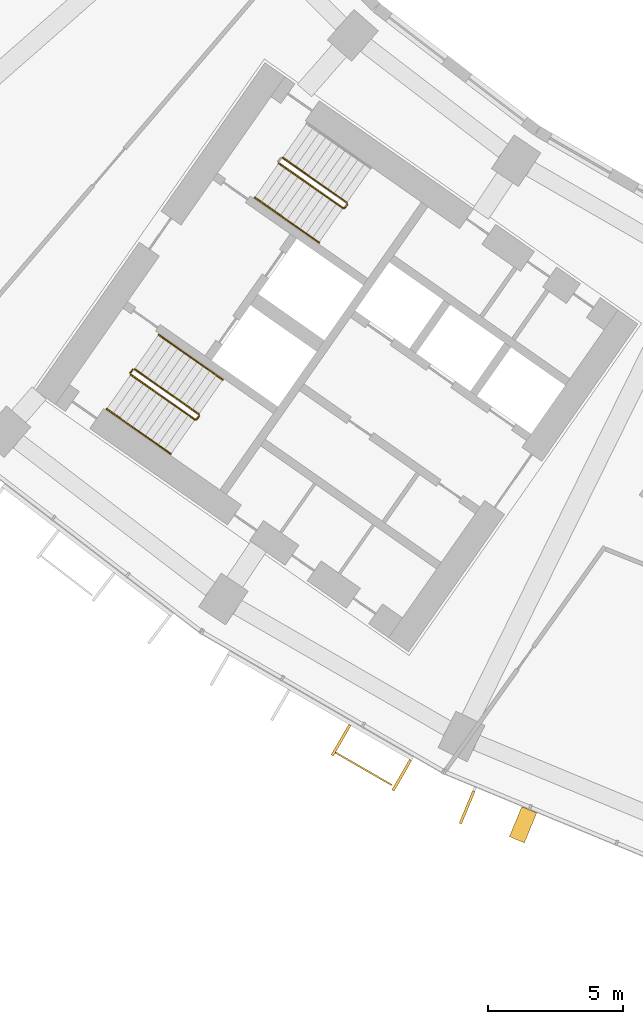
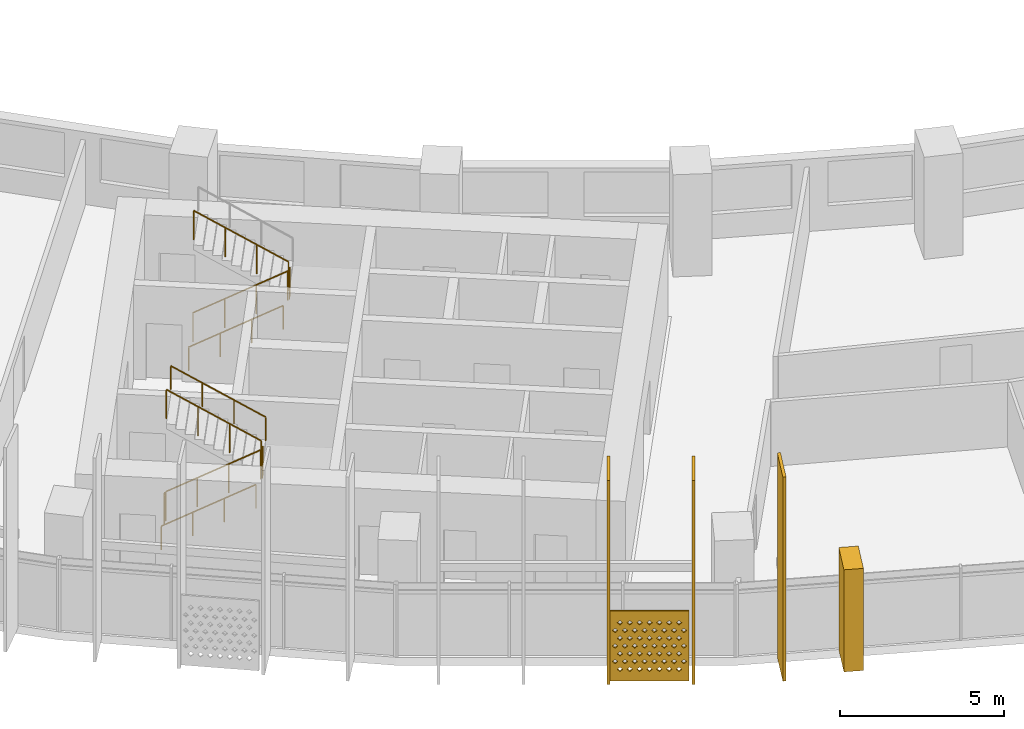
# One storey, part 24 of 30: 8 railings, 5 shading devices.
"""IFC4 building model written with IfcOpenShell, lengths in metres."""

from ifc_helpers import new_model, si_unit, direction, frame, origin, origin_2d, place, context, subcontext, project, spatial, polyline, rectangle, circle, outline, extrude, material, material_profile, profile_set, type_object, element, save


model = new_model("IFC4")

# Units and contexts
model_context = context("Model", 3, precision=1e-05, world=origin(), true_north=direction((0.0, 1.0)))
body_context = subcontext(model_context, "Body", "Model", "MODEL_VIEW")
ifc_project = project(units=[si_unit("LENGTHUNIT", "METRE"), si_unit("AREAUNIT", "SQUARE_METRE"), si_unit("VOLUMEUNIT", "CUBIC_METRE"), si_unit("PLANEANGLEUNIT", "RADIAN"), si_unit("MASSUNIT", "GRAM", prefix="KILO")], contexts=[model_context])

# Site, building, storey
site_placement = place(None, origin())
site = spatial("IfcSite", under=ifc_project, at=site_placement, CompositionType="ELEMENT")
building_placement = place(site_placement, origin())
building = spatial("IfcBuilding", under=site, at=building_placement, Name="Qamariyya Broadcast Tower", CompositionType="ELEMENT")
storey_placement = place(building_placement, frame((0.0, 0.0, 102.5)))
storey = spatial("IfcBuildingStorey", under=building, at=storey_placement, Name="L22", CompositionType="ELEMENT", Elevation=102.5)

# Shading devices
ifc_material_1 = material(Name="Steel S355 powder coated deep red", Category="steel")
shading_device_type_1 = type_object("IfcShadingDeviceType", Name="Deep red frame, powder coated steel box section", PredefinedType="USERDEFINED", material=ifc_material_1)
shading_device_1_placement = place(storey_placement, origin())
element("IfcShadingDevice", 1, at=shading_device_1_placement, inside=storey, type_object=shading_device_type_1, Name="e-frm-B2-F1-posta-L22", ObjectType="FRAME", PredefinedType="USERDEFINED", context=body_context, shape_type="SweptSolid", body=[
    extrude(outline(polyline([(-32.15625, -72.330322265625), (-32.615478515625, -73.43896484375), (-32.06103515625, -73.668701171875), (-31.601806640625, -72.56005859375), (-32.15625, -72.330322265625)])), origin(), (0.0, 0.0, 1.0), 3.800048828125),
])
ifc_material_2 = material(Name="Perforated glazed terracotta", Category="masonry")
ifc_material_profile_1 = material_profile(ifc_material_2, outline(polyline([(-1.199951171875, -1.300048828125), (1.199951171875, -1.300048828125), (1.199951171875, 1.300048828125), (-1.199951171875, 1.300048828125), (-1.199951171875, -1.300048828125)]), holes=[polyline([(-0.81494140625, -0.86669921875), (-0.89990234375, -0.78173828125), (-0.985107421875, -0.86669921875), (-0.89990234375, -0.95166015625), (-0.81494140625, -0.86669921875)]), polyline([(-0.514892578125, -0.86669921875), (-0.60009765625, -0.78173828125), (-0.68505859375, -0.86669921875), (-0.60009765625, -0.95166015625), (-0.514892578125, -0.86669921875)]), polyline([(-0.215087890625, -0.86669921875), (-0.300048828125, -0.78173828125), (-0.385009765625, -0.86669921875), (-0.300048828125, -0.95166015625), (-0.215087890625, -0.86669921875)]), polyline([(0.0849609375, -0.86669921875), (0.0, -0.78173828125), (-0.0849609375, -0.86669921875), (0.0, -0.95166015625), (0.0849609375, -0.86669921875)]), polyline([(0.385009765625, -0.86669921875), (0.300048828125, -0.78173828125), (0.215087890625, -0.86669921875), (0.300048828125, -0.95166015625), (0.385009765625, -0.86669921875)]), polyline([(0.68505859375, -0.86669921875), (0.60009765625, -0.78173828125), (0.514892578125, -0.86669921875), (0.60009765625, -0.95166015625), (0.68505859375, -0.86669921875)]), polyline([(0.985107421875, -0.86669921875), (0.89990234375, -0.78173828125), (0.81494140625, -0.86669921875), (0.89990234375, -0.95166015625), (0.985107421875, -0.86669921875)]), polyline([(-0.965087890625, -0.577880859375), (-1.050048828125, -0.49267578125), (-1.135009765625, -0.577880859375), (-1.050048828125, -0.662841796875), (-0.965087890625, -0.577880859375)]), polyline([(-0.6650390625, -0.577880859375), (-0.75, -0.49267578125), (-0.8349609375, -0.577880859375), (-0.75, -0.662841796875), (-0.6650390625, -0.577880859375)]), polyline([(-0.364990234375, -0.577880859375), (-0.449951171875, -0.49267578125), (-0.534912109375, -0.577880859375), (-0.449951171875, -0.662841796875), (-0.364990234375, -0.577880859375)]), polyline([(-0.06494140625, -0.577880859375), (-0.14990234375, -0.49267578125), (-0.235107421875, -0.577880859375), (-0.14990234375, -0.662841796875), (-0.06494140625, -0.577880859375)]), polyline([(0.235107421875, -0.577880859375), (0.14990234375, -0.49267578125), (0.06494140625, -0.577880859375), (0.14990234375, -0.662841796875), (0.235107421875, -0.577880859375)]), polyline([(0.534912109375, -0.577880859375), (0.449951171875, -0.49267578125), (0.364990234375, -0.577880859375), (0.449951171875, -0.662841796875), (0.534912109375, -0.577880859375)]), polyline([(0.8349609375, -0.577880859375), (0.75, -0.49267578125), (0.6650390625, -0.577880859375), (0.75, -0.662841796875), (0.8349609375, -0.577880859375)]), polyline([(1.135009765625, -0.577880859375), (1.050048828125, -0.49267578125), (0.965087890625, -0.577880859375), (1.050048828125, -0.662841796875), (1.135009765625, -0.577880859375)]), polyline([(-0.81494140625, -0.288818359375), (-0.89990234375, -0.203857421875), (-0.985107421875, -0.288818359375), (-0.89990234375, -0.373779296875), (-0.81494140625, -0.288818359375)]), polyline([(-0.514892578125, -0.288818359375), (-0.60009765625, -0.203857421875), (-0.68505859375, -0.288818359375), (-0.60009765625, -0.373779296875), (-0.514892578125, -0.288818359375)]), polyline([(-0.215087890625, -0.288818359375), (-0.300048828125, -0.203857421875), (-0.385009765625, -0.288818359375), (-0.300048828125, -0.373779296875), (-0.215087890625, -0.288818359375)]), polyline([(0.0849609375, -0.288818359375), (0.0, -0.203857421875), (-0.0849609375, -0.288818359375), (0.0, -0.373779296875), (0.0849609375, -0.288818359375)]), polyline([(0.385009765625, -0.288818359375), (0.300048828125, -0.203857421875), (0.215087890625, -0.288818359375), (0.300048828125, -0.373779296875), (0.385009765625, -0.288818359375)]), polyline([(0.68505859375, -0.288818359375), (0.60009765625, -0.203857421875), (0.514892578125, -0.288818359375), (0.60009765625, -0.373779296875), (0.68505859375, -0.288818359375)]), polyline([(0.985107421875, -0.288818359375), (0.89990234375, -0.203857421875), (0.81494140625, -0.288818359375), (0.89990234375, -0.373779296875), (0.985107421875, -0.288818359375)]), polyline([(-0.965087890625, 0.0), (-1.050048828125, 0.0849609375), (-1.135009765625, 0.0), (-1.050048828125, -0.0849609375), (-0.965087890625, 0.0)]), polyline([(-0.6650390625, 0.0), (-0.75, 0.0849609375), (-0.8349609375, 0.0), (-0.75, -0.0849609375), (-0.6650390625, 0.0)]), polyline([(-0.364990234375, 0.0), (-0.449951171875, 0.0849609375), (-0.534912109375, 0.0), (-0.449951171875, -0.0849609375), (-0.364990234375, 0.0)]), polyline([(-0.06494140625, 0.0), (-0.14990234375, 0.0849609375), (-0.235107421875, 0.0), (-0.14990234375, -0.0849609375), (-0.06494140625, 0.0)]), polyline([(0.235107421875, 0.0), (0.14990234375, 0.0849609375), (0.06494140625, 0.0), (0.14990234375, -0.0849609375), (0.235107421875, 0.0)]), polyline([(0.534912109375, 0.0), (0.449951171875, 0.0849609375), (0.364990234375, 0.0), (0.449951171875, -0.0849609375), (0.534912109375, 0.0)]), polyline([(0.8349609375, 0.0), (0.75, 0.0849609375), (0.6650390625, 0.0), (0.75, -0.0849609375), (0.8349609375, 0.0)]), polyline([(1.135009765625, 0.0), (1.050048828125, 0.0849609375), (0.965087890625, 0.0), (1.050048828125, -0.0849609375), (1.135009765625, 0.0)]), polyline([(-0.81494140625, 0.288818359375), (-0.89990234375, 0.373779296875), (-0.985107421875, 0.288818359375), (-0.89990234375, 0.203857421875), (-0.81494140625, 0.288818359375)]), polyline([(-0.514892578125, 0.288818359375), (-0.60009765625, 0.373779296875), (-0.68505859375, 0.288818359375), (-0.60009765625, 0.203857421875), (-0.514892578125, 0.288818359375)]), polyline([(-0.215087890625, 0.288818359375), (-0.300048828125, 0.373779296875), (-0.385009765625, 0.288818359375), (-0.300048828125, 0.203857421875), (-0.215087890625, 0.288818359375)]), polyline([(0.0849609375, 0.288818359375), (0.0, 0.373779296875), (-0.0849609375, 0.288818359375), (0.0, 0.203857421875), (0.0849609375, 0.288818359375)]), polyline([(0.385009765625, 0.288818359375), (0.300048828125, 0.373779296875), (0.215087890625, 0.288818359375), (0.300048828125, 0.203857421875), (0.385009765625, 0.288818359375)]), polyline([(0.68505859375, 0.288818359375), (0.60009765625, 0.373779296875), (0.514892578125, 0.288818359375), (0.60009765625, 0.203857421875), (0.68505859375, 0.288818359375)]), polyline([(0.985107421875, 0.288818359375), (0.89990234375, 0.373779296875), (0.81494140625, 0.288818359375), (0.89990234375, 0.203857421875), (0.985107421875, 0.288818359375)]), polyline([(-0.965087890625, 0.577880859375), (-1.050048828125, 0.662841796875), (-1.135009765625, 0.577880859375), (-1.050048828125, 0.49267578125), (-0.965087890625, 0.577880859375)]), polyline([(-0.6650390625, 0.577880859375), (-0.75, 0.662841796875), (-0.8349609375, 0.577880859375), (-0.75, 0.49267578125), (-0.6650390625, 0.577880859375)]), polyline([(-0.364990234375, 0.577880859375), (-0.449951171875, 0.662841796875), (-0.534912109375, 0.577880859375), (-0.449951171875, 0.49267578125), (-0.364990234375, 0.577880859375)]), polyline([(-0.06494140625, 0.577880859375), (-0.14990234375, 0.662841796875), (-0.235107421875, 0.577880859375), (-0.14990234375, 0.49267578125), (-0.06494140625, 0.577880859375)]), polyline([(0.235107421875, 0.577880859375), (0.14990234375, 0.662841796875), (0.06494140625, 0.577880859375), (0.14990234375, 0.49267578125), (0.235107421875, 0.577880859375)]), polyline([(0.534912109375, 0.577880859375), (0.449951171875, 0.662841796875), (0.364990234375, 0.577880859375), (0.449951171875, 0.49267578125), (0.534912109375, 0.577880859375)]), polyline([(0.8349609375, 0.577880859375), (0.75, 0.662841796875), (0.6650390625, 0.577880859375), (0.75, 0.49267578125), (0.8349609375, 0.577880859375)]), polyline([(1.135009765625, 0.577880859375), (1.050048828125, 0.662841796875), (0.965087890625, 0.577880859375), (1.050048828125, 0.49267578125), (1.135009765625, 0.577880859375)]), polyline([(-0.81494140625, 0.86669921875), (-0.89990234375, 0.95166015625), (-0.985107421875, 0.86669921875), (-0.89990234375, 0.78173828125), (-0.81494140625, 0.86669921875)]), polyline([(-0.514892578125, 0.86669921875), (-0.60009765625, 0.95166015625), (-0.68505859375, 0.86669921875), (-0.60009765625, 0.78173828125), (-0.514892578125, 0.86669921875)]), polyline([(-0.215087890625, 0.86669921875), (-0.300048828125, 0.95166015625), (-0.385009765625, 0.86669921875), (-0.300048828125, 0.78173828125), (-0.215087890625, 0.86669921875)]), polyline([(0.0849609375, 0.86669921875), (0.0, 0.95166015625), (-0.0849609375, 0.86669921875), (0.0, 0.78173828125), (0.0849609375, 0.86669921875)]), polyline([(0.385009765625, 0.86669921875), (0.300048828125, 0.95166015625), (0.215087890625, 0.86669921875), (0.300048828125, 0.78173828125), (0.385009765625, 0.86669921875)]), polyline([(0.68505859375, 0.86669921875), (0.60009765625, 0.95166015625), (0.514892578125, 0.86669921875), (0.60009765625, 0.78173828125), (0.68505859375, 0.86669921875)]), polyline([(0.985107421875, 0.86669921875), (0.89990234375, 0.95166015625), (0.81494140625, 0.86669921875), (0.89990234375, 0.78173828125), (0.985107421875, 0.86669921875)])]))
ifc_profile_set_1 = profile_set([ifc_material_profile_1], Name="Perforated glazed terracotta")
shading_device_type_2 = type_object("IfcShadingDeviceType", Name="Perforated terracotta screen 2400 x 2600", PredefinedType="USERDEFINED", material=ifc_profile_set_1)
shading_device_2_placement = place(storey_placement, frame((-37.99462890625, -70.90185546875, 1.35009765625), z_axis=(-0.500074377092, -0.865982457891, 0.0), x_axis=(0.865982457891, -0.500074377092, 0.0)))
element("IfcShadingDevice", 2, at=shading_device_2_placement, inside=storey, type_object=shading_device_type_2, Name="e-scr-L22-05-2", ObjectType="SCREEN", PredefinedType="USERDEFINED", context=body_context, shape_type="SweptSolid", body=[
    extrude(outline(polyline([(-1.199951171875, -1.300048828125), (1.199951171875, -1.300048828125), (1.199951171875, 1.300048828125), (-1.199951171875, 1.300048828125), (-1.199951171875, -1.300048828125)]), holes=[polyline([(-0.81494140625, -0.86669921875), (-0.89990234375, -0.78173828125), (-0.985107421875, -0.86669921875), (-0.89990234375, -0.95166015625), (-0.81494140625, -0.86669921875)]), polyline([(-0.514892578125, -0.86669921875), (-0.60009765625, -0.78173828125), (-0.68505859375, -0.86669921875), (-0.60009765625, -0.95166015625), (-0.514892578125, -0.86669921875)]), polyline([(-0.215087890625, -0.86669921875), (-0.300048828125, -0.78173828125), (-0.385009765625, -0.86669921875), (-0.300048828125, -0.95166015625), (-0.215087890625, -0.86669921875)]), polyline([(0.0849609375, -0.86669921875), (0.0, -0.78173828125), (-0.0849609375, -0.86669921875), (0.0, -0.95166015625), (0.0849609375, -0.86669921875)]), polyline([(0.385009765625, -0.86669921875), (0.300048828125, -0.78173828125), (0.215087890625, -0.86669921875), (0.300048828125, -0.95166015625), (0.385009765625, -0.86669921875)]), polyline([(0.68505859375, -0.86669921875), (0.60009765625, -0.78173828125), (0.514892578125, -0.86669921875), (0.60009765625, -0.95166015625), (0.68505859375, -0.86669921875)]), polyline([(0.985107421875, -0.86669921875), (0.89990234375, -0.78173828125), (0.81494140625, -0.86669921875), (0.89990234375, -0.95166015625), (0.985107421875, -0.86669921875)]), polyline([(-0.965087890625, -0.577880859375), (-1.050048828125, -0.49267578125), (-1.135009765625, -0.577880859375), (-1.050048828125, -0.662841796875), (-0.965087890625, -0.577880859375)]), polyline([(-0.6650390625, -0.577880859375), (-0.75, -0.49267578125), (-0.8349609375, -0.577880859375), (-0.75, -0.662841796875), (-0.6650390625, -0.577880859375)]), polyline([(-0.364990234375, -0.577880859375), (-0.449951171875, -0.49267578125), (-0.534912109375, -0.577880859375), (-0.449951171875, -0.662841796875), (-0.364990234375, -0.577880859375)]), polyline([(-0.06494140625, -0.577880859375), (-0.14990234375, -0.49267578125), (-0.235107421875, -0.577880859375), (-0.14990234375, -0.662841796875), (-0.06494140625, -0.577880859375)]), polyline([(0.235107421875, -0.577880859375), (0.14990234375, -0.49267578125), (0.06494140625, -0.577880859375), (0.14990234375, -0.662841796875), (0.235107421875, -0.577880859375)]), polyline([(0.534912109375, -0.577880859375), (0.449951171875, -0.49267578125), (0.364990234375, -0.577880859375), (0.449951171875, -0.662841796875), (0.534912109375, -0.577880859375)]), polyline([(0.8349609375, -0.577880859375), (0.75, -0.49267578125), (0.6650390625, -0.577880859375), (0.75, -0.662841796875), (0.8349609375, -0.577880859375)]), polyline([(1.135009765625, -0.577880859375), (1.050048828125, -0.49267578125), (0.965087890625, -0.577880859375), (1.050048828125, -0.662841796875), (1.135009765625, -0.577880859375)]), polyline([(-0.81494140625, -0.288818359375), (-0.89990234375, -0.203857421875), (-0.985107421875, -0.288818359375), (-0.89990234375, -0.373779296875), (-0.81494140625, -0.288818359375)]), polyline([(-0.514892578125, -0.288818359375), (-0.60009765625, -0.203857421875), (-0.68505859375, -0.288818359375), (-0.60009765625, -0.373779296875), (-0.514892578125, -0.288818359375)]), polyline([(-0.215087890625, -0.288818359375), (-0.300048828125, -0.203857421875), (-0.385009765625, -0.288818359375), (-0.300048828125, -0.373779296875), (-0.215087890625, -0.288818359375)]), polyline([(0.0849609375, -0.288818359375), (0.0, -0.203857421875), (-0.0849609375, -0.288818359375), (0.0, -0.373779296875), (0.0849609375, -0.288818359375)]), polyline([(0.385009765625, -0.288818359375), (0.300048828125, -0.203857421875), (0.215087890625, -0.288818359375), (0.300048828125, -0.373779296875), (0.385009765625, -0.288818359375)]), polyline([(0.68505859375, -0.288818359375), (0.60009765625, -0.203857421875), (0.514892578125, -0.288818359375), (0.60009765625, -0.373779296875), (0.68505859375, -0.288818359375)]), polyline([(0.985107421875, -0.288818359375), (0.89990234375, -0.203857421875), (0.81494140625, -0.288818359375), (0.89990234375, -0.373779296875), (0.985107421875, -0.288818359375)]), polyline([(-0.965087890625, 0.0), (-1.050048828125, 0.0849609375), (-1.135009765625, 0.0), (-1.050048828125, -0.0849609375), (-0.965087890625, 0.0)]), polyline([(-0.6650390625, 0.0), (-0.75, 0.0849609375), (-0.8349609375, 0.0), (-0.75, -0.0849609375), (-0.6650390625, 0.0)]), polyline([(-0.364990234375, 0.0), (-0.449951171875, 0.0849609375), (-0.534912109375, 0.0), (-0.449951171875, -0.0849609375), (-0.364990234375, 0.0)]), polyline([(-0.06494140625, 0.0), (-0.14990234375, 0.0849609375), (-0.235107421875, 0.0), (-0.14990234375, -0.0849609375), (-0.06494140625, 0.0)]), polyline([(0.235107421875, 0.0), (0.14990234375, 0.0849609375), (0.06494140625, 0.0), (0.14990234375, -0.0849609375), (0.235107421875, 0.0)]), polyline([(0.534912109375, 0.0), (0.449951171875, 0.0849609375), (0.364990234375, 0.0), (0.449951171875, -0.0849609375), (0.534912109375, 0.0)]), polyline([(0.8349609375, 0.0), (0.75, 0.0849609375), (0.6650390625, 0.0), (0.75, -0.0849609375), (0.8349609375, 0.0)]), polyline([(1.135009765625, 0.0), (1.050048828125, 0.0849609375), (0.965087890625, 0.0), (1.050048828125, -0.0849609375), (1.135009765625, 0.0)]), polyline([(-0.81494140625, 0.288818359375), (-0.89990234375, 0.373779296875), (-0.985107421875, 0.288818359375), (-0.89990234375, 0.203857421875), (-0.81494140625, 0.288818359375)]), polyline([(-0.514892578125, 0.288818359375), (-0.60009765625, 0.373779296875), (-0.68505859375, 0.288818359375), (-0.60009765625, 0.203857421875), (-0.514892578125, 0.288818359375)]), polyline([(-0.215087890625, 0.288818359375), (-0.300048828125, 0.373779296875), (-0.385009765625, 0.288818359375), (-0.300048828125, 0.203857421875), (-0.215087890625, 0.288818359375)]), polyline([(0.0849609375, 0.288818359375), (0.0, 0.373779296875), (-0.0849609375, 0.288818359375), (0.0, 0.203857421875), (0.0849609375, 0.288818359375)]), polyline([(0.385009765625, 0.288818359375), (0.300048828125, 0.373779296875), (0.215087890625, 0.288818359375), (0.300048828125, 0.203857421875), (0.385009765625, 0.288818359375)]), polyline([(0.68505859375, 0.288818359375), (0.60009765625, 0.373779296875), (0.514892578125, 0.288818359375), (0.60009765625, 0.203857421875), (0.68505859375, 0.288818359375)]), polyline([(0.985107421875, 0.288818359375), (0.89990234375, 0.373779296875), (0.81494140625, 0.288818359375), (0.89990234375, 0.203857421875), (0.985107421875, 0.288818359375)]), polyline([(-0.965087890625, 0.577880859375), (-1.050048828125, 0.662841796875), (-1.135009765625, 0.577880859375), (-1.050048828125, 0.49267578125), (-0.965087890625, 0.577880859375)]), polyline([(-0.6650390625, 0.577880859375), (-0.75, 0.662841796875), (-0.8349609375, 0.577880859375), (-0.75, 0.49267578125), (-0.6650390625, 0.577880859375)]), polyline([(-0.364990234375, 0.577880859375), (-0.449951171875, 0.662841796875), (-0.534912109375, 0.577880859375), (-0.449951171875, 0.49267578125), (-0.364990234375, 0.577880859375)]), polyline([(-0.06494140625, 0.577880859375), (-0.14990234375, 0.662841796875), (-0.235107421875, 0.577880859375), (-0.14990234375, 0.49267578125), (-0.06494140625, 0.577880859375)]), polyline([(0.235107421875, 0.577880859375), (0.14990234375, 0.662841796875), (0.06494140625, 0.577880859375), (0.14990234375, 0.49267578125), (0.235107421875, 0.577880859375)]), polyline([(0.534912109375, 0.577880859375), (0.449951171875, 0.662841796875), (0.364990234375, 0.577880859375), (0.449951171875, 0.49267578125), (0.534912109375, 0.577880859375)]), polyline([(0.8349609375, 0.577880859375), (0.75, 0.662841796875), (0.6650390625, 0.577880859375), (0.75, 0.49267578125), (0.8349609375, 0.577880859375)]), polyline([(1.135009765625, 0.577880859375), (1.050048828125, 0.662841796875), (0.965087890625, 0.577880859375), (1.050048828125, 0.49267578125), (1.135009765625, 0.577880859375)]), polyline([(-0.81494140625, 0.86669921875), (-0.89990234375, 0.95166015625), (-0.985107421875, 0.86669921875), (-0.89990234375, 0.78173828125), (-0.81494140625, 0.86669921875)]), polyline([(-0.514892578125, 0.86669921875), (-0.60009765625, 0.95166015625), (-0.68505859375, 0.86669921875), (-0.60009765625, 0.78173828125), (-0.514892578125, 0.86669921875)]), polyline([(-0.215087890625, 0.86669921875), (-0.300048828125, 0.95166015625), (-0.385009765625, 0.86669921875), (-0.300048828125, 0.78173828125), (-0.215087890625, 0.86669921875)]), polyline([(0.0849609375, 0.86669921875), (0.0, 0.95166015625), (-0.0849609375, 0.86669921875), (0.0, 0.78173828125), (0.0849609375, 0.86669921875)]), polyline([(0.385009765625, 0.86669921875), (0.300048828125, 0.95166015625), (0.215087890625, 0.86669921875), (0.300048828125, 0.78173828125), (0.385009765625, 0.86669921875)]), polyline([(0.68505859375, 0.86669921875), (0.60009765625, 0.95166015625), (0.514892578125, 0.86669921875), (0.60009765625, 0.78173828125), (0.68505859375, 0.86669921875)]), polyline([(0.985107421875, 0.86669921875), (0.89990234375, 0.95166015625), (0.81494140625, 0.86669921875), (0.89990234375, 0.78173828125), (0.985107421875, 0.86669921875)])]), origin(), (0.0, 0.0, 1.0), 0.06005859375),
])

# Railings
ifc_material_3 = material(Name="Painted steel", Category="steel")
railing_type_1 = type_object("IfcRailingType", Name="Stair guard", PredefinedType="GUARDRAIL", material=ifc_material_3)
railing_1_placement = place(storey_placement, frame((-41.146728515625, -48.52490234375, 0.172607421875)))
element("IfcRailing", 3, at=railing_1_placement, inside=storey, type_object=railing_type_1, Name="L22 ST-W2 stair guard 1", PredefinedType="GUARDRAIL", context=body_context, shape_type="SweptSolid", body=[
    extrude(circle(Radius=0.02392578125, at=origin_2d()), frame((0.0, 0.0, 1.076171875), z_axis=(0.703770094002, -0.492783725636, 0.511734163933), x_axis=(0.573575343427, 0.819152809562, 0.0)), (0.0, 0.0, 1.0), 3.37548828125),
    extrude(circle(Radius=0.02392578125, at=origin_2d()), frame((2.37548828125, -1.663330078125, 2.80322265625), z_axis=(0.985059694769, 0.172213233351, 0.0), x_axis=(-0.172213233351, 0.985059694769, 0.0)), (0.0, 0.0, 1.0), 0.07080078125),
    extrude(circle(Radius=0.02392578125, at=origin_2d()), frame((2.4453125, -1.651123046875, 2.80322265625), z_axis=(0.572588637393, 0.819842821722, 0.0), x_axis=(-0.819842821722, 0.572588637393, 0.0)), (0.0, 0.0, 1.0), 0.150146484375),
    extrude(circle(Radius=0.02099609375, at=origin_2d()), origin(), (0.0, 0.0, 1.0), 1.052001953125),
    extrude(circle(Radius=0.02099609375, at=origin_2d()), frame((0.791748046875, -0.554443359375, 0.57568359375)), (0.0, 0.0, 1.0), 1.052001953125),
    extrude(circle(Radius=0.02099609375, at=origin_2d()), frame((1.583740234375, -1.10888671875, 1.151611328125)), (0.0, 0.0, 1.0), 1.052001953125),
    extrude(circle(Radius=0.02099609375, at=origin_2d()), frame((2.37548828125, -1.663330078125, 1.727294921875)), (0.0, 0.0, 1.0), 1.052001953125),
    extrude(circle(Radius=0.02099609375, at=origin_2d()), frame((2.4453125, -1.651123046875, 1.727294921875)), (0.0, 0.0, 1.0), 1.052001953125),
    extrude(circle(Radius=0.02099609375, at=origin_2d()), frame((2.53125, -1.528076171875, 1.727294921875)), (0.0, 0.0, 1.0), 1.052001953125),
])
railing_2_placement = place(storey_placement, frame((-38.627685546875, -49.9833984375, 2.07275390625)))
element("IfcRailing", 4, at=railing_2_placement, inside=storey, type_object=railing_type_1, Name="L22 ST-W2 stair guard 2", PredefinedType="GUARDRAIL", context=body_context, shape_type="SweptSolid", body=[
    extrude(circle(Radius=0.02392578125, at=origin_2d()), frame((0.0, 0.0, 1.076171875), z_axis=(-0.703770094002, 0.492783725636, 0.511734163933), x_axis=(-0.573575343427, -0.819152809562, 0.0)), (0.0, 0.0, 1.0), 3.37548828125),
    extrude(circle(Radius=0.02099609375, at=origin_2d()), origin(), (0.0, 0.0, 1.0), 1.052001953125),
    extrude(circle(Radius=0.02099609375, at=origin_2d()), frame((-0.791748046875, 0.554443359375, 0.57568359375)), (0.0, 0.0, 1.0), 1.052001953125),
    extrude(circle(Radius=0.02099609375, at=origin_2d()), frame((-1.583740234375, 1.10888671875, 1.151611328125)), (0.0, 0.0, 1.0), 1.052001953125),
    extrude(circle(Radius=0.02099609375, at=origin_2d()), frame((-2.37548828125, 1.663330078125, 1.727294921875)), (0.0, 0.0, 1.0), 1.052001953125),
])
railing_3_placement = place(storey_placement, frame((-46.624267578125, -56.34765625, 0.172607421875)))
element("IfcRailing", 5, at=railing_3_placement, inside=storey, type_object=railing_type_1, Name="L22 ST-W1 stair guard 1", PredefinedType="GUARDRAIL", context=body_context, shape_type="SweptSolid", body=[
    extrude(circle(Radius=0.02392578125, at=origin_2d()), frame((0.0, 0.0, 1.076171875), z_axis=(0.703745009021, -0.492838488332, 0.511715923826), x_axis=(0.573631830683, 0.819113253969, 0.0)), (0.0, 0.0, 1.0), 3.37548828125),
    extrude(circle(Radius=0.02392578125, at=origin_2d()), frame((2.37548828125, -1.66357421875, 2.80322265625), z_axis=(0.984363469884, 0.176149252506, 0.0), x_axis=(-0.176149252506, 0.984363469884, 0.0)), (0.0, 0.0, 1.0), 0.07080078125),
    extrude(circle(Radius=0.02392578125, at=origin_2d()), frame((2.445068359375, -1.651123046875, 2.80322265625), z_axis=(0.574444878118, 0.818543268254, 0.0), x_axis=(-0.818543268254, 0.574444878118, 0.0)), (0.0, 0.0, 1.0), 0.150146484375),
    extrude(circle(Radius=0.02099609375, at=origin_2d()), origin(), (0.0, 0.0, 1.0), 1.052001953125),
    extrude(circle(Radius=0.02099609375, at=origin_2d()), frame((0.791748046875, -0.554443359375, 0.57568359375)), (0.0, 0.0, 1.0), 1.052001953125),
    extrude(circle(Radius=0.02099609375, at=origin_2d()), frame((1.583740234375, -1.109130859375, 1.151611328125)), (0.0, 0.0, 1.0), 1.052001953125),
    extrude(circle(Radius=0.02099609375, at=origin_2d()), frame((2.37548828125, -1.66357421875, 1.727294921875)), (0.0, 0.0, 1.0), 1.052001953125),
    extrude(circle(Radius=0.02099609375, at=origin_2d()), frame((2.445068359375, -1.651123046875, 1.727294921875)), (0.0, 0.0, 1.0), 1.052001953125),
    extrude(circle(Radius=0.02099609375, at=origin_2d()), frame((2.53125, -1.5283203125, 1.727294921875)), (0.0, 0.0, 1.0), 1.052001953125),
])
railing_4_placement = place(storey_placement, frame((-44.10546875, -57.806396484375, 2.07275390625)))
element("IfcRailing", 6, at=railing_4_placement, inside=storey, type_object=railing_type_1, Name="L22 ST-W1 stair guard 2", PredefinedType="GUARDRAIL", context=body_context, shape_type="SweptSolid", body=[
    extrude(circle(Radius=0.02392578125, at=origin_2d()), frame((0.0, 0.0, 1.076171875), z_axis=(-0.703770094002, 0.492783725636, 0.511734163933), x_axis=(-0.573575343427, -0.819152809562, 0.0)), (0.0, 0.0, 1.0), 3.37548828125),
    extrude(circle(Radius=0.02099609375, at=origin_2d()), origin(), (0.0, 0.0, 1.0), 1.052001953125),
    extrude(circle(Radius=0.02099609375, at=origin_2d()), frame((-0.791748046875, 0.554443359375, 0.57568359375)), (0.0, 0.0, 1.0), 1.052001953125),
    extrude(circle(Radius=0.02099609375, at=origin_2d()), frame((-1.583740234375, 1.10888671875, 1.151611328125)), (0.0, 0.0, 1.0), 1.052001953125),
    extrude(circle(Radius=0.02099609375, at=origin_2d()), frame((-2.37548828125, 1.663330078125, 1.727294921875)), (0.0, 0.0, 1.0), 1.052001953125),
])
railing_5_placement = place(storey_placement, frame((-46.63671875, -56.278076171875, 0.0)))
element("IfcRailing", 7, at=railing_5_placement, inside=storey, type_object=railing_type_1, Name="L22 ST-W1 stair guard 3", PredefinedType="GUARDRAIL", context=body_context, shape_type="SweptSolid", body=[
    extrude(circle(Radius=0.02392578125, at=origin_2d()), frame((0.0, 0.0, 1.076171875), z_axis=(0.574444878118, 0.818543268254, 0.0), x_axis=(-0.818543268254, 0.574444878118, 0.0)), (0.0, 0.0, 1.0), 0.150146484375),
    extrude(circle(Radius=0.02099609375, at=origin_2d()), origin(), (0.0, 0.0, 1.0), 1.052001953125),
    extrude(circle(Radius=0.02099609375, at=origin_2d()), frame((0.086181640625, 0.122802734375, 0.0)), (0.0, 0.0, 1.0), 1.052001953125),
])
ifc_material_4 = material(Name="Stainless steel", Category="steel")
railing_type_2 = type_object("IfcRailingType", Name="Stair handrail", PredefinedType="HANDRAIL", material=ifc_material_4)
railing_6_placement = place(storey_placement, frame((-42.03564453125, -49.79443359375, 0.172607421875)))
element("IfcRailing", 8, at=railing_6_placement, inside=storey, type_object=railing_type_2, Name="L22 ST-W2 stair handrail 1", PredefinedType="HANDRAIL", context=body_context, shape_type="SweptSolid", body=[
    extrude(circle(Radius=0.02392578125, at=origin_2d()), frame((0.0, 0.0, 0.8759765625), z_axis=(0.703745009021, -0.492838488332, 0.511715923826), x_axis=(0.573631830683, 0.819113253969, 0.0)), (0.0, 0.0, 1.0), 3.37548828125),
    extrude(circle(Radius=0.02099609375, at=origin_2d()), origin(), (0.0, 0.0, 1.0), 0.851806640625),
    extrude(circle(Radius=0.02099609375, at=origin_2d()), frame((0.791748046875, -0.554443359375, 0.57568359375)), (0.0, 0.0, 1.0), 0.851806640625),
    extrude(circle(Radius=0.02099609375, at=origin_2d()), frame((1.583740234375, -1.109130859375, 1.151611328125)), (0.0, 0.0, 1.0), 0.851806640625),
    extrude(circle(Radius=0.02099609375, at=origin_2d()), frame((2.37548828125, -1.66357421875, 1.727294921875)), (0.0, 0.0, 1.0), 0.851806640625),
])
railing_7_placement = place(storey_placement, frame((-47.513427734375, -57.617431640625, 0.172607421875)))
element("IfcRailing", 9, at=railing_7_placement, inside=storey, type_object=railing_type_2, Name="L22 ST-W1 stair handrail 1", PredefinedType="HANDRAIL", context=body_context, shape_type="SweptSolid", body=[
    extrude(circle(Radius=0.02392578125, at=origin_2d()), frame((0.0, 0.0, 0.8759765625), z_axis=(0.703770094002, -0.492783725636, 0.511734163933), x_axis=(0.573575343427, 0.819152809562, 0.0)), (0.0, 0.0, 1.0), 3.37548828125),
    extrude(circle(Radius=0.02099609375, at=origin_2d()), origin(), (0.0, 0.0, 1.0), 0.851806640625),
    extrude(circle(Radius=0.02099609375, at=origin_2d()), frame((0.791748046875, -0.554443359375, 0.57568359375)), (0.0, 0.0, 1.0), 0.851806640625),
    extrude(circle(Radius=0.02099609375, at=origin_2d()), frame((1.583740234375, -1.10888671875, 1.151611328125)), (0.0, 0.0, 1.0), 0.851806640625),
    extrude(circle(Radius=0.02099609375, at=origin_2d()), frame((2.37548828125, -1.663330078125, 1.727294921875)), (0.0, 0.0, 1.0), 0.851806640625),
])
railing_8_placement = place(storey_placement, frame((-43.21630859375, -56.53662109375, 2.07275390625)))
element("IfcRailing", 10, at=railing_8_placement, inside=storey, type_object=railing_type_2, Name="L22 ST-W1 stair handrail 2", PredefinedType="HANDRAIL", context=body_context, shape_type="SweptSolid", body=[
    extrude(circle(Radius=0.02392578125, at=origin_2d()), frame((0.0, 0.0, 0.8759765625), z_axis=(-0.703770094002, 0.492783725636, 0.511734163933), x_axis=(-0.573575343427, -0.819152809562, 0.0)), (0.0, 0.0, 1.0), 3.37548828125),
    extrude(circle(Radius=0.02099609375, at=origin_2d()), origin(), (0.0, 0.0, 1.0), 0.851806640625),
    extrude(circle(Radius=0.02099609375, at=origin_2d()), frame((-0.791748046875, 0.554443359375, 0.57568359375)), (0.0, 0.0, 1.0), 0.851806640625),
    extrude(circle(Radius=0.02099609375, at=origin_2d()), frame((-1.583740234375, 1.10888671875, 1.151611328125)), (0.0, 0.0, 1.0), 0.851806640625),
    extrude(circle(Radius=0.02099609375, at=origin_2d()), frame((-2.37548828125, 1.663330078125, 1.727294921875)), (0.0, 0.0, 1.0), 0.851806640625),
])

# Shading devices
ifc_material_5 = material(Name="Glazed terracotta", Category="masonry")
ifc_material_profile_2 = material_profile(ifc_material_5, rectangle(XDim=1.300048828125, YDim=0.10009765625, at=origin_2d()))
ifc_profile_set_2 = profile_set([ifc_material_profile_2], Name="Glazed terracotta")
shading_device_type_3 = type_object("IfcShadingDeviceType", Name="Terracotta fin 100 x 1300", PredefinedType="USERDEFINED", material=ifc_profile_set_2)
for number, where, z_axis, x_axis, name in (
    (11, (-38.84228515625, -69.869873046875, 0.0), (0.0, 0.0, 1.0), (-0.5, -0.866025403784, 0.0), "e-fin-L22-05-2"),
    (12, (-36.596435546875, -71.16650390625, 0.0), (0.0, 0.0, 1.0), (-0.5, -0.866025403784, 0.0), "e-fin-L22-05-3"),
    (13, (-34.181640625, -72.357421875, 0.0), (0.0, 0.0, 1.0), (-0.382683432365, -0.923879532511, 0.0), "e-fin-L22-06-0"),
):
    element("IfcShadingDevice", number, at=place(storey_placement, frame(where, z_axis=z_axis, x_axis=x_axis)), inside=storey, type_object=shading_device_type_3, Name=name, ObjectType="FIN", PredefinedType="USERDEFINED", context=body_context, shape_type="SweptSolid", body=[
        extrude(rectangle(XDim=1.300048828125, YDim=0.10009765625, at=origin_2d()), origin(), (0.0, 0.0, 1.0), 7.60009765625),
    ])

save(model, "model.ifc")
